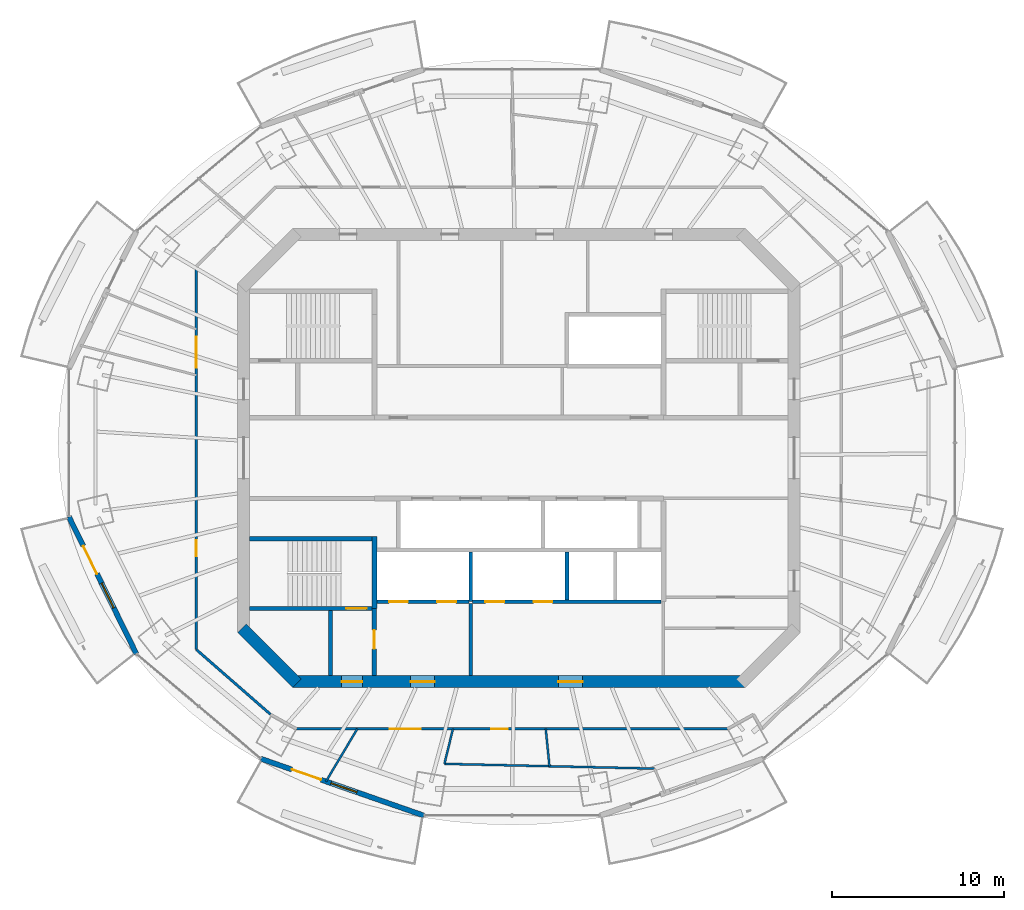
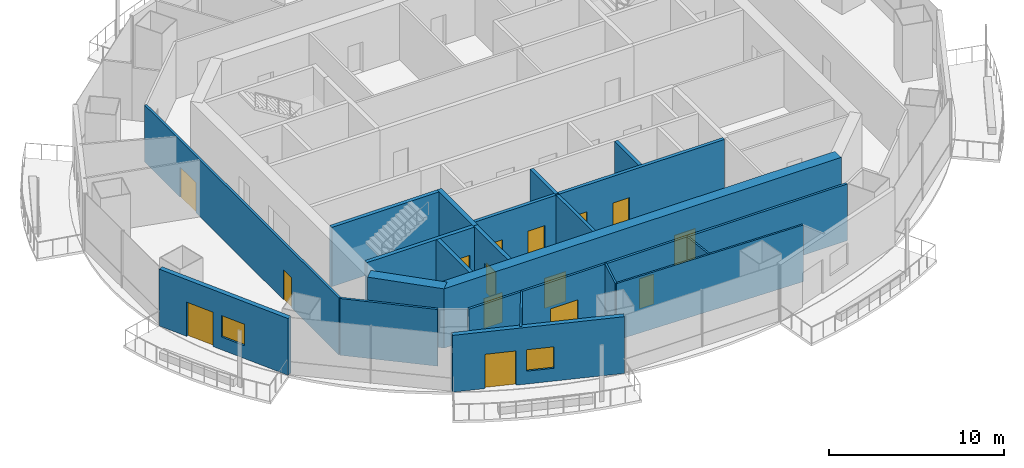
# One storey, part 8 of 16: 21 walls, 15 doors, 2 windows, 17 openings.
"""IFC4 building model written with IfcOpenShell, lengths in metres."""

from ifc_helpers import new_model, si_unit, direction, frame, frame_2d, origin, place, context, subcontext, project, spatial, rectangle, extrude, material, layer, layer_set, type_object, element, fill, save


model = new_model("IFC4")

# Units and contexts
model_context = context("Model", 3, precision=1e-05, world=origin(), true_north=direction((0.0, 1.0)))
body_context = subcontext(model_context, "Body", "Model", "MODEL_VIEW")
ifc_project = project(units=[si_unit("LENGTHUNIT", "METRE"), si_unit("AREAUNIT", "SQUARE_METRE"), si_unit("VOLUMEUNIT", "CUBIC_METRE"), si_unit("PLANEANGLEUNIT", "RADIAN"), si_unit("MASSUNIT", "GRAM", prefix="KILO")], contexts=[model_context])

# Site, building, storey
site_placement = place(None, origin())
site = spatial("IfcSite", under=ifc_project, at=site_placement, CompositionType="ELEMENT")
building_placement = place(site_placement, origin())
building = spatial("IfcBuilding", under=site, at=building_placement, Name="Marenthal Gate Tower", CompositionType="ELEMENT")
storey_placement = place(building_placement, frame((0.0, 0.0, 359.199951171875)))
storey = spatial("IfcBuildingStorey", under=building, at=storey_placement, Name="L81", CompositionType="ELEMENT", Elevation=359.199951171875)

# Wall
ifc_material_1 = material(Name="Concrete 60 MPa", Category="concrete")
ifc_layer_1 = layer(ifc_material_1, 0.699951171875)
ifc_layer_set_1 = layer_set([ifc_layer_1], Name="Core shear wall 700")
wall_type_1 = type_object("IfcWallType", Name="Core shear wall 700", PredefinedType="SHEAR", material=ifc_layer_set_1)
wall_1_placement = place(storey_placement, frame((-16.1025390625, -9.8974609375, -0.179931640625), z_axis=(0.0, 0.0, 1.0), x_axis=(0.707106781187, -0.707106781187, 0.0)))
element("IfcWall", 1, at=wall_1_placement, inside=storey, type_object=wall_type_1, Name="Core wall 07", PredefinedType="SHEAR", context=body_context, shape_type="SweptSolid", body=[
    extrude(rectangle(XDim=4.53271484375, YDim=0.699951171875, at=frame_2d((2.266357421875, 0.0))), origin(), (0.0, 0.0, 1.0), 4.14990234375),
])

# Wall, openings, doors
wall_2_placement = place(storey_placement, frame((-13.14501953125, -13.0, -0.179931640625), z_axis=(0.0, 0.0, 1.0), x_axis=(1.0, 0.0, 0.0)))
wall_2 = element("IfcWall", 2, at=wall_2_placement, inside=storey, type_object=wall_type_1, Name="Core wall 08", PredefinedType="SHEAR", context=body_context, shape_type="SweptSolid", body=[
    extrude(rectangle(XDim=26.2900390625, YDim=0.699951171875, at=frame_2d((13.14501953125, 0.0))), origin(), (0.0, 0.0, 1.0), 4.14990234375),
])
opening_1_placement = place(wall_2_placement, frame((2.844970703125, 0.0, 0.179931640625)))
opening_1 = element("IfcOpeningElement", 3, at=opening_1_placement, cuts=wall_2, Name="Opening D001.06", PredefinedType="OPENING", context=body_context, shape_type="SweptSolid", body=[
    extrude(rectangle(XDim=1.199951171875, YDim=2.10009765625, at=frame_2d((0.60009765625, 1.050048828125))), frame((0.0, 0.35986328125, 0.0), z_axis=(0.0, -1.0, 0.0), x_axis=(1.0, 0.0, 0.0)), (0.0, 0.0, 1.0), 0.719970703125),
])
opening_2_placement = place(wall_2_placement, frame((6.844970703125, 0.0, 0.179931640625)))
opening_2 = element("IfcOpeningElement", 4, at=opening_2_placement, cuts=wall_2, Name="Opening D004.01", PredefinedType="OPENING", context=body_context, shape_type="SweptSolid", body=[
    extrude(rectangle(XDim=1.39990234375, YDim=2.10009765625, at=frame_2d((0.699951171875, 1.050048828125))), frame((0.0, 0.35986328125, 0.0), z_axis=(0.0, -1.0, 0.0), x_axis=(1.0, 0.0, 0.0)), (0.0, 0.0, 1.0), 0.719970703125),
])
opening_3_placement = place(wall_2_placement, frame((15.445068359375, 0.0, 0.179931640625)))
opening_3 = element("IfcOpeningElement", 5, at=opening_3_placement, cuts=wall_2, Name="Opening D004.02", PredefinedType="OPENING", context=body_context, shape_type="SweptSolid", body=[
    extrude(rectangle(XDim=1.39990234375, YDim=2.10009765625, at=frame_2d((0.699951171875, 1.050048828125))), frame((0.0, 0.35986328125, 0.0), z_axis=(0.0, -1.0, 0.0), x_axis=(1.0, 0.0, 0.0)), (0.0, 0.0, 1.0), 0.719970703125),
])
ifc_material_2 = material(Name="Steel fire door", Category="steel")
door_type_1 = type_object("IfcDoorType", Name="Fire door FD 45 1400 x 2100", OperationType="NOTDEFINED", PredefinedType="DOOR", material=ifc_material_2)
door_1_placement = place(opening_2_placement, origin())
door_1 = element("IfcDoor", 6, at=door_1_placement, inside=storey, type_object=door_type_1, Name="Door D004.01", OperationType="SINGLE_SWING_RIGHT", OverallHeight=2.10009765625, OverallWidth=1.39990234375, PredefinedType="DOOR", context=body_context, shape_type="SweptSolid", body=[
    extrude(rectangle(XDim=1.39990234375, YDim=2.10009765625, at=frame_2d((0.699951171875, 1.050048828125))), frame((0.0, 0.02490234375, 0.0), z_axis=(0.0, -1.0, 0.0), x_axis=(1.0, 0.0, 0.0)), (0.0, 0.0, 1.0), 0.050048828125),
])
fill(opening_2, door_1)
door_2_placement = place(opening_3_placement, origin())
door_2 = element("IfcDoor", 7, at=door_2_placement, inside=storey, type_object=door_type_1, Name="Door D004.02", OperationType="SINGLE_SWING_RIGHT", OverallHeight=2.10009765625, OverallWidth=1.39990234375, PredefinedType="DOOR", context=body_context, shape_type="SweptSolid", body=[
    extrude(rectangle(XDim=1.39990234375, YDim=2.10009765625, at=frame_2d((0.699951171875, 1.050048828125))), frame((0.0, 0.02490234375, 0.0), z_axis=(0.0, -1.0, 0.0), x_axis=(1.0, 0.0, 0.0)), (0.0, 0.0, 1.0), 0.050048828125),
])
fill(opening_3, door_2)
ifc_material_3 = material(Name="Steel fire door", Category="steel")
door_type_2 = type_object("IfcDoorType", Name="Fire door FD 90 1200 x 2100", OperationType="NOTDEFINED", PredefinedType="DOOR", material=ifc_material_3)
door_3_placement = place(opening_1_placement, origin())
door_3 = element("IfcDoor", 8, at=door_3_placement, inside=storey, type_object=door_type_2, Name="Door D001.06", OperationType="SINGLE_SWING_RIGHT", OverallHeight=2.10009765625, OverallWidth=1.199951171875, PredefinedType="DOOR", context=body_context, shape_type="SweptSolid", body=[
    extrude(rectangle(XDim=1.199951171875, YDim=2.10009765625, at=frame_2d((0.60009765625, 1.050048828125))), frame((0.0, 0.02490234375, 0.0), z_axis=(0.0, -1.0, 0.0), x_axis=(1.0, 0.0, 0.0)), (0.0, 0.0, 1.0), 0.050048828125),
])
fill(opening_1, door_3)

# Walls
ifc_material_4 = material(Name="Gypsum board on steel studs", Category="steel")
ifc_layer_2 = layer(ifc_material_4, 0.199951171875)
ifc_layer_set_2 = layer_set([ifc_layer_2], Name="Fire lobby wall 200")
wall_type_2 = type_object("IfcWallType", Name="Fire lobby wall 200", PredefinedType="PARTITIONING", material=ifc_layer_set_2)
wall_3_placement = place(storey_placement, frame((-2.800048828125, -12.64990234375, 0.0), z_axis=(0.0, 0.0, 1.0), x_axis=(0.0, 1.0, 0.0)))
element("IfcWall", 9, at=wall_3_placement, inside=storey, type_object=wall_type_2, Name="Fire wall 37", PredefinedType="PARTITIONING", context=body_context, shape_type="SweptSolid", body=[
    extrude(rectangle(XDim=4.18994140625, YDim=0.199951171875, at=frame_2d((2.094970703125, 0.0))), origin(), (0.0, 0.0, 1.0), 3.969970703125),
])
ifc_material_5 = material(Name="Concrete 50 MPa", Category="concrete")
ifc_layer_3 = layer(ifc_material_5, 0.300048828125)
ifc_layer_set_3 = layer_set([ifc_layer_3], Name="Hoistway shear wall 300")
wall_type_3 = type_object("IfcWallType", Name="Hoistway shear wall 300", PredefinedType="SHEAR", material=ifc_layer_set_3)
wall_4_placement = place(storey_placement, frame((-8.39990234375, -8.75, -0.179931640625), z_axis=(0.0, 0.0, 1.0), x_axis=(0.0, 1.0, 0.0)))
element("IfcWall", 10, at=wall_4_placement, inside=storey, type_object=wall_type_3, Name="Hoistway wall 32", PredefinedType="SHEAR", context=body_context, shape_type="SweptSolid", body=[
    extrude(rectangle(XDim=4.175048828125, YDim=0.300048828125, at=frame_2d((2.08740234375, 0.0))), origin(), (0.0, 0.0, 1.0), 4.14990234375),
])

# Wall, openings, doors
ifc_material_6 = material(Name="Concrete 40 MPa", Category="concrete")
ifc_layer_4 = layer(ifc_material_6, 0.219970703125)
ifc_layer_set_4 = layer_set([ifc_layer_4], Name="Hoistway wall 220")
wall_type_4 = type_object("IfcWallType", Name="Hoistway wall 220", PredefinedType="STANDARD", material=ifc_layer_set_4)
wall_5_placement = place(storey_placement, frame((-8.25, -8.35009765625, 0.0), z_axis=(0.0, 0.0, 1.0), x_axis=(1.0, 0.0, 0.0)))
wall_5 = element("IfcWall", 11, at=wall_5_placement, inside=storey, type_object=wall_type_4, Name="Hoistway wall 11", PredefinedType="STANDARD", context=body_context, shape_type="SweptSolid", body=[
    extrude(rectangle(XDim=5.340087890625, YDim=0.219970703125, at=frame_2d((2.669921875, 0.0))), origin(), (0.0, 0.0, 1.0), 3.969970703125),
])
opening_4_placement = place(wall_5_placement, frame((0.699951171875, 0.0, 0.0)))
opening_4 = element("IfcOpeningElement", 12, at=opening_4_placement, cuts=wall_5, Name="Opening LD-LF1", PredefinedType="OPENING", context=body_context, shape_type="SweptSolid", body=[
    extrude(rectangle(XDim=1.10009765625, YDim=2.10009765625, at=frame_2d((0.550048828125, 1.050048828125))), frame((0.0, 0.1201171875, 0.0), z_axis=(0.0, -1.0, 0.0), x_axis=(1.0, 0.0, 0.0)), (0.0, 0.0, 1.0), 0.239990234375),
])
opening_5_placement = place(wall_5_placement, frame((3.5, 0.0, 0.0)))
opening_5 = element("IfcOpeningElement", 13, at=opening_5_placement, cuts=wall_5, Name="Opening LD-LF2", PredefinedType="OPENING", context=body_context, shape_type="SweptSolid", body=[
    extrude(rectangle(XDim=1.10009765625, YDim=2.10009765625, at=frame_2d((0.550048828125, 1.050048828125))), frame((0.0, 0.1201171875, 0.0), z_axis=(0.0, -1.0, 0.0), x_axis=(1.0, 0.0, 0.0)), (0.0, 0.0, 1.0), 0.239990234375),
])
ifc_material_7 = material(Name="Stainless steel sliding door", Category="steel")
door_type_3 = type_object("IfcDoorType", Name="Lift landing door FD 90 1100 x 2100", OperationType="DOUBLE_DOOR_SLIDING", PredefinedType="DOOR", material=ifc_material_7)
door_4_placement = place(opening_4_placement, origin())
door_4 = element("IfcDoor", 14, at=door_4_placement, inside=storey, type_object=door_type_3, Name="Lift landing door LF1", OperationType="DOUBLE_DOOR_SLIDING", OverallHeight=2.10009765625, OverallWidth=1.10009765625, PredefinedType="DOOR", context=body_context, shape_type="SweptSolid", body=[
    extrude(rectangle(XDim=1.10009765625, YDim=2.10009765625, at=frame_2d((0.550048828125, 1.050048828125))), frame((0.0, 0.02490234375, 0.0), z_axis=(0.0, -1.0, 0.0), x_axis=(1.0, 0.0, 0.0)), (0.0, 0.0, 1.0), 0.050048828125),
])
fill(opening_4, door_4)
door_5_placement = place(opening_5_placement, origin())
door_5 = element("IfcDoor", 15, at=door_5_placement, inside=storey, type_object=door_type_3, Name="Lift landing door LF2", OperationType="DOUBLE_DOOR_SLIDING", OverallHeight=2.10009765625, OverallWidth=1.10009765625, PredefinedType="DOOR", context=body_context, shape_type="SweptSolid", body=[
    extrude(rectangle(XDim=1.10009765625, YDim=2.10009765625, at=frame_2d((0.550048828125, 1.050048828125))), frame((0.0, 0.02490234375, 0.0), z_axis=(0.0, -1.0, 0.0), x_axis=(1.0, 0.0, 0.0)), (0.0, 0.0, 1.0), 0.050048828125),
])
fill(opening_5, door_5)

wall_6_placement = place(storey_placement, frame((-2.68994140625, -8.35009765625, 0.0), z_axis=(0.0, 0.0, 1.0), x_axis=(1.0, 0.0, 0.0)))
wall_6 = element("IfcWall", 16, at=wall_6_placement, inside=storey, type_object=wall_type_4, Name="Hoistway wall 12", PredefinedType="STANDARD", context=body_context, shape_type="SweptSolid", body=[
    extrude(rectangle(XDim=10.93994140625, YDim=0.219970703125, at=frame_2d((5.469970703125, 0.0))), origin(), (0.0, 0.0, 1.0), 3.969970703125),
])
opening_6_placement = place(wall_6_placement, frame((0.739990234375, 0.0, 0.0)))
opening_6 = element("IfcOpeningElement", 17, at=opening_6_placement, cuts=wall_6, Name="Opening LD-SV1", PredefinedType="OPENING", context=body_context, shape_type="SweptSolid", body=[
    extrude(rectangle(XDim=1.10009765625, YDim=2.10009765625, at=frame_2d((0.550048828125, 1.050048828125))), frame((0.0, 0.1201171875, 0.0), z_axis=(0.0, -1.0, 0.0), x_axis=(1.0, 0.0, 0.0)), (0.0, 0.0, 1.0), 0.239990234375),
])
opening_7_placement = place(wall_6_placement, frame((3.5400390625, 0.0, 0.0)))
opening_7 = element("IfcOpeningElement", 18, at=opening_7_placement, cuts=wall_6, Name="Opening LD-SV2", PredefinedType="OPENING", context=body_context, shape_type="SweptSolid", body=[
    extrude(rectangle(XDim=1.10009765625, YDim=2.10009765625, at=frame_2d((0.550048828125, 1.050048828125))), frame((0.0, 0.1201171875, 0.0), z_axis=(0.0, -1.0, 0.0), x_axis=(1.0, 0.0, 0.0)), (0.0, 0.0, 1.0), 0.239990234375),
])
door_6_placement = place(opening_6_placement, origin())
door_6 = element("IfcDoor", 19, at=door_6_placement, inside=storey, type_object=door_type_3, Name="Lift landing door SV1", OperationType="DOUBLE_DOOR_SLIDING", OverallHeight=2.10009765625, OverallWidth=1.10009765625, PredefinedType="DOOR", context=body_context, shape_type="SweptSolid", body=[
    extrude(rectangle(XDim=1.10009765625, YDim=2.10009765625, at=frame_2d((0.550048828125, 1.050048828125))), frame((0.0, 0.02490234375, 0.0), z_axis=(0.0, -1.0, 0.0), x_axis=(1.0, 0.0, 0.0)), (0.0, 0.0, 1.0), 0.050048828125),
])
fill(opening_6, door_6)
door_7_placement = place(opening_7_placement, origin())
door_7 = element("IfcDoor", 20, at=door_7_placement, inside=storey, type_object=door_type_3, Name="Lift landing door SV2", OperationType="DOUBLE_DOOR_SLIDING", OverallHeight=2.10009765625, OverallWidth=1.10009765625, PredefinedType="DOOR", context=body_context, shape_type="SweptSolid", body=[
    extrude(rectangle(XDim=1.10009765625, YDim=2.10009765625, at=frame_2d((0.550048828125, 1.050048828125))), frame((0.0, 0.02490234375, 0.0), z_axis=(0.0, -1.0, 0.0), x_axis=(1.0, 0.0, 0.0)), (0.0, 0.0, 1.0), 0.050048828125),
])
fill(opening_7, door_7)

# Walls
wall_7_placement = place(storey_placement, frame((-2.800048828125, -8.35009765625, 0.0), z_axis=(0.0, 0.0, 1.0), x_axis=(0.0, 1.0, 0.0)))
element("IfcWall", 21, at=wall_7_placement, inside=storey, type_object=wall_type_4, Name="Hoistway wall 38", PredefinedType="STANDARD", context=body_context, shape_type="SweptSolid", body=[
    extrude(rectangle(XDim=2.89013671875, YDim=0.219970703125, at=frame_2d((1.445068359375, 0.0))), origin(), (0.0, 0.0, 1.0), 3.969970703125),
])
wall_8_placement = place(storey_placement, frame((2.800048828125, -8.239990234375, 0.0), z_axis=(0.0, 0.0, 1.0), x_axis=(0.0, 1.0, 0.0)))
element("IfcWall", 22, at=wall_8_placement, inside=storey, type_object=wall_type_4, Name="Hoistway wall 42", PredefinedType="STANDARD", context=body_context, shape_type="SweptSolid", body=[
    extrude(rectangle(XDim=2.780029296875, YDim=0.219970703125, at=frame_2d((1.39013671875, 0.0))), origin(), (0.0, 0.0, 1.0), 3.969970703125),
])
ifc_material_8 = material(Name="Gypsum board on steel studs", Category="steel")
ifc_layer_5 = layer(ifc_material_8, 0.1201171875)
ifc_layer_set_5 = layer_set([ifc_layer_5], Name="Partition 120")
wall_type_5 = type_object("IfcWallType", Name="Partition 120", PredefinedType="PARTITIONING", material=ifc_layer_set_5)
wall_9_placement = place(storey_placement, frame((-9.39501953125, -15.75, 0.0), z_axis=(0.0, 0.0, 1.0), x_axis=(-0.512250738002, -0.858835945578, 0.0)))
element("IfcWall", 23, at=wall_9_placement, inside=storey, type_object=wall_type_5, Name="Partition wall 61", PredefinedType="PARTITIONING", context=body_context, shape_type="SweptSolid", body=[
    extrude(rectangle(XDim=3.552978515625, YDim=0.1201171875, at=frame_2d((1.7763671875, 0.0))), origin(), (0.0, 0.0, 1.0), 3.969970703125),
])
wall_10_placement = place(storey_placement, frame((-4.32861328125, -17.78125, 0.0), z_axis=(0.0, 0.0, 1.0), x_axis=(0.999747193502, -0.02248441871, 0.0)))
element("IfcWall", 24, at=wall_10_placement, inside=storey, type_object=wall_type_5, Name="Partition wall 63", PredefinedType="PARTITIONING", context=body_context, shape_type="SweptSolid", body=[
    extrude(rectangle(XDim=12.215576171875, YDim=0.1201171875, at=frame_2d((6.10791015625, 0.0))), origin(), (0.0, 0.0, 1.0), 3.969970703125),
])
wall_11_placement = place(storey_placement, frame((-4.32861328125, -17.78125, 0.0), z_axis=(0.0, 0.0, 1.0), x_axis=(0.236595923388, 0.971608135534, 0.0)))
element("IfcWall", 25, at=wall_11_placement, inside=storey, type_object=wall_type_5, Name="Partition wall 64", PredefinedType="PARTITIONING", context=body_context, shape_type="SweptSolid", body=[
    extrude(rectangle(XDim=2.090576171875, YDim=0.1201171875, at=frame_2d((1.04541015625, 0.0))), origin(), (0.0, 0.0, 1.0), 3.969970703125),
])
wall_12_placement = place(storey_placement, frame((1.777587890625, -17.918701171875, 0.0), z_axis=(0.0, 0.0, 1.0), x_axis=(-0.098694000634, 0.995117829324, 0.0)))
element("IfcWall", 26, at=wall_12_placement, inside=storey, type_object=wall_type_5, Name="Partition wall 66", PredefinedType="PARTITIONING", context=body_context, shape_type="SweptSolid", body=[
    extrude(rectangle(XDim=2.179443359375, YDim=0.1201171875, at=frame_2d((1.08984375, 0.0))), origin(), (0.0, 0.0, 1.0), 3.969970703125),
])

# Wall, openings, doors
ifc_material_9 = material(Name="Gypsum board on steel studs", Category="steel")
ifc_layer_6 = layer(ifc_material_9, 0.14990234375)
ifc_layer_set_6 = layer_set([ifc_layer_6], Name="Partition 150")
wall_type_6 = type_object("IfcWallType", Name="Partition 150", PredefinedType="PARTITIONING", material=ifc_layer_set_6)
wall_13_placement = place(storey_placement, frame((-18.75, -11.13916015625, 0.0), z_axis=(0.0, 0.0, 1.0), x_axis=(0.0, 1.0, 0.0)))
wall_13 = element("IfcWall", 27, at=wall_13_placement, inside=storey, type_object=wall_type_6, Name="Partition wall 52", PredefinedType="PARTITIONING", context=body_context, shape_type="SweptSolid", body=[
    extrude(rectangle(XDim=22.2783203125, YDim=0.14990234375, at=frame_2d((11.13916015625, 0.0))), origin(), (0.0, 0.0, 1.0), 3.969970703125),
])
opening_8_placement = place(wall_13_placement, frame((16.39501953125, 0.0, 0.0)))
opening_8 = element("IfcOpeningElement", 28, at=opening_8_placement, cuts=wall_13, Name="Opening D014.02", PredefinedType="OPENING", context=body_context, shape_type="SweptSolid", body=[
    extrude(rectangle(XDim=1.800048828125, YDim=2.10009765625, at=frame_2d((0.89990234375, 1.050048828125))), frame((0.0, 0.0849609375, 0.0), z_axis=(0.0, -1.0, 0.0), x_axis=(1.0, 0.0, 0.0)), (0.0, 0.0, 1.0), 0.169921875),
])
opening_9_placement = place(wall_13_placement, frame((5.4169921875, 0.0, 0.0)))
opening_9 = element("IfcOpeningElement", 29, at=opening_9_placement, cuts=wall_13, Name="Opening D016.06", PredefinedType="OPENING", context=body_context, shape_type="SweptSolid", body=[
    extrude(rectangle(XDim=0.949951171875, YDim=2.10009765625, at=frame_2d((0.47509765625, 1.050048828125))), frame((0.0, 0.0849609375, 0.0), z_axis=(0.0, -1.0, 0.0), x_axis=(1.0, 0.0, 0.0)), (0.0, 0.0, 1.0), 0.169921875),
])
ifc_material_10 = material(Name="Timber door", Category="wood")
door_type_4 = type_object("IfcDoorType", Name="Door 950 x 2100", OperationType="NOTDEFINED", PredefinedType="DOOR", material=ifc_material_10)
door_8_placement = place(opening_9_placement, origin())
door_8 = element("IfcDoor", 30, at=door_8_placement, inside=storey, type_object=door_type_4, Name="Door D016.06", OperationType="SINGLE_SWING_RIGHT", OverallHeight=2.10009765625, OverallWidth=0.949951171875, PredefinedType="DOOR", context=body_context, shape_type="SweptSolid", body=[
    extrude(rectangle(XDim=0.949951171875, YDim=2.10009765625, at=frame_2d((0.47509765625, 1.050048828125))), frame((0.0, 0.02490234375, 0.0), z_axis=(0.0, -1.0, 0.0), x_axis=(1.0, 0.0, 0.0)), (0.0, 0.0, 1.0), 0.050048828125),
])
fill(opening_9, door_8)
ifc_material_11 = material(Name="Timber door", Category="wood")
door_type_5 = type_object("IfcDoorType", Name="Double door 1800 x 2100", OperationType="DOUBLE_DOOR_SINGLE_SWING", PredefinedType="DOOR", material=ifc_material_11)
door_9_placement = place(opening_8_placement, origin())
door_9 = element("IfcDoor", 31, at=door_9_placement, inside=storey, type_object=door_type_5, Name="Door D014.02", OperationType="DOUBLE_DOOR_SINGLE_SWING", OverallHeight=2.10009765625, OverallWidth=1.800048828125, PredefinedType="DOOR", context=body_context, shape_type="SweptSolid", body=[
    extrude(rectangle(XDim=1.800048828125, YDim=2.10009765625, at=frame_2d((0.89990234375, 1.050048828125))), frame((0.0, 0.02490234375, 0.0), z_axis=(0.0, -1.0, 0.0), x_axis=(1.0, 0.0, 0.0)), (0.0, 0.0, 1.0), 0.050048828125),
])
fill(opening_8, door_9)

# Wall
wall_14_placement = place(storey_placement, frame((-14.439453125, -14.9033203125, 0.0), z_axis=(0.0, 0.0, 1.0), x_axis=(-0.753231723651, 0.657755251204, 0.0)))
element("IfcWall", 32, at=wall_14_placement, inside=storey, type_object=wall_type_6, Name="Partition wall 57", PredefinedType="PARTITIONING", context=body_context, shape_type="SweptSolid", body=[
    extrude(rectangle(XDim=5.72265625, YDim=0.14990234375, at=frame_2d((2.861328125, 0.0))), origin(), (0.0, 0.0, 1.0), 3.969970703125),
])

# Wall, openings, doors
wall_15_placement = place(storey_placement, frame((12.115966796875, -15.75, 0.0), z_axis=(0.0, 0.0, 1.0), x_axis=(-1.0, 0.0, 0.0)))
wall_15 = element("IfcWall", 33, at=wall_15_placement, inside=storey, type_object=wall_type_6, Name="Partition wall 70", PredefinedType="PARTITIONING", context=body_context, shape_type="SweptSolid", body=[
    extrude(rectangle(XDim=25.031982421875, YDim=0.14990234375, at=frame_2d((12.51611328125, 0.0))), origin(), (0.0, 0.0, 1.0), 3.969970703125),
])
opening_10_placement = place(wall_15_placement, frame((12.77587890625, 0.0, 0.0)))
opening_10 = element("IfcOpeningElement", 34, at=opening_10_placement, cuts=wall_15, Name="Opening D016.07", PredefinedType="OPENING", context=body_context, shape_type="SweptSolid", body=[
    extrude(rectangle(XDim=0.949951171875, YDim=2.10009765625, at=frame_2d((0.47509765625, 1.050048828125))), frame((0.0, 0.0849609375, 0.0), z_axis=(0.0, -1.0, 0.0), x_axis=(1.0, 0.0, 0.0)), (0.0, 0.0, 1.0), 0.169921875),
])
opening_11_placement = place(wall_15_placement, frame((17.8310546875, 0.0, 0.0)))
opening_11 = element("IfcOpeningElement", 35, at=opening_11_placement, cuts=wall_15, Name="Opening D014.03", PredefinedType="OPENING", context=body_context, shape_type="SweptSolid", body=[
    extrude(rectangle(XDim=1.800048828125, YDim=2.10009765625, at=frame_2d((0.89990234375, 1.050048828125))), frame((0.0, 0.0849609375, 0.0), z_axis=(0.0, -1.0, 0.0), x_axis=(1.0, 0.0, 0.0)), (0.0, 0.0, 1.0), 0.169921875),
])
door_10_placement = place(opening_10_placement, origin())
door_10 = element("IfcDoor", 36, at=door_10_placement, inside=storey, type_object=door_type_4, Name="Door D016.07", OperationType="SINGLE_SWING_RIGHT", OverallHeight=2.10009765625, OverallWidth=0.949951171875, PredefinedType="DOOR", context=body_context, shape_type="SweptSolid", body=[
    extrude(rectangle(XDim=0.949951171875, YDim=2.10009765625, at=frame_2d((0.47509765625, 1.050048828125))), frame((0.0, 0.02490234375, 0.0), z_axis=(0.0, -1.0, 0.0), x_axis=(1.0, 0.0, 0.0)), (0.0, 0.0, 1.0), 0.050048828125),
])
fill(opening_10, door_10)
door_11_placement = place(opening_11_placement, origin())
door_11 = element("IfcDoor", 37, at=door_11_placement, inside=storey, type_object=door_type_5, Name="Door D014.03", OperationType="DOUBLE_DOOR_SINGLE_SWING", OverallHeight=2.10009765625, OverallWidth=1.800048828125, PredefinedType="DOOR", context=body_context, shape_type="SweptSolid", body=[
    extrude(rectangle(XDim=1.800048828125, YDim=2.10009765625, at=frame_2d((0.89990234375, 1.050048828125))), frame((0.0, 0.02490234375, 0.0), z_axis=(0.0, -1.0, 0.0), x_axis=(1.0, 0.0, 0.0)), (0.0, 0.0, 1.0), 0.050048828125),
])
fill(opening_11, door_11)

# Wall
ifc_material_12 = material(Name="Concrete 40 MPa", Category="concrete")
ifc_layer_7 = layer(ifc_material_12, 0.25)
ifc_layer_set_7 = layer_set([ifc_layer_7], Name="Stair enclosure wall 250")
wall_type_7 = type_object("IfcWallType", Name="Stair enclosure wall 250", PredefinedType="STANDARD", material=ifc_layer_set_7)
wall_16_placement = place(storey_placement, frame((-10.949951171875, -12.64990234375, 0.0), z_axis=(0.0, 0.0, 1.0), x_axis=(0.0, 1.0, 0.0)))
element("IfcWall", 38, at=wall_16_placement, inside=storey, type_object=wall_type_7, Name="Stair wall 30", PredefinedType="STANDARD", context=body_context, shape_type="SweptSolid", body=[
    extrude(rectangle(XDim=3.77490234375, YDim=0.25, at=frame_2d((1.887451171875, 0.0))), origin(), (0.0, 0.0, 1.0), 3.969970703125),
])

# Wall, opening, door
wall_17_placement = place(storey_placement, frame((-8.39990234375, -12.64990234375, 0.0), z_axis=(0.0, 0.0, 1.0), x_axis=(0.0, 1.0, 0.0)))
wall_17 = element("IfcWall", 39, at=wall_17_placement, inside=storey, type_object=wall_type_7, Name="Stair wall 31", PredefinedType="STANDARD", context=body_context, shape_type="SweptSolid", body=[
    extrude(rectangle(XDim=3.89990234375, YDim=0.25, at=frame_2d((1.949951171875, 0.0))), origin(), (0.0, 0.0, 1.0), 3.969970703125),
])
opening_12_placement = place(wall_17_placement, frame((1.550048828125, 0.0, 0.0)))
opening_12 = element("IfcOpeningElement", 40, at=opening_12_placement, cuts=wall_17, Name="Opening D002.01", PredefinedType="OPENING", context=body_context, shape_type="SweptSolid", body=[
    extrude(rectangle(XDim=1.10009765625, YDim=2.10009765625, at=frame_2d((0.550048828125, 1.050048828125))), frame((0.0, 0.135009765625, 0.0), z_axis=(0.0, -1.0, 0.0), x_axis=(1.0, 0.0, 0.0)), (0.0, 0.0, 1.0), 0.27001953125),
])
ifc_material_13 = material(Name="Steel fire door", Category="steel")
door_type_6 = type_object("IfcDoorType", Name="Fire door FD 90 1100 x 2100", OperationType="NOTDEFINED", PredefinedType="DOOR", material=ifc_material_13)
door_12_placement = place(opening_12_placement, origin())
door_12 = element("IfcDoor", 41, at=door_12_placement, inside=storey, type_object=door_type_6, Name="Door D002.01", OperationType="SINGLE_SWING_RIGHT", OverallHeight=2.10009765625, OverallWidth=1.10009765625, PredefinedType="DOOR", context=body_context, shape_type="SweptSolid", body=[
    extrude(rectangle(XDim=1.10009765625, YDim=2.10009765625, at=frame_2d((0.550048828125, 1.050048828125))), frame((0.0, 0.02490234375, 0.0), z_axis=(0.0, -1.0, 0.0), x_axis=(1.0, 0.0, 0.0)), (0.0, 0.0, 1.0), 0.050048828125),
])
fill(opening_12, door_12)

ifc_material_14 = material(Name="Concrete 50 MPa", Category="concrete")
ifc_layer_8 = layer(ifc_material_14, 0.25)
ifc_layer_set_8 = layer_set([ifc_layer_8], Name="Stair shear wall 250")
wall_type_8 = type_object("IfcWallType", Name="Stair shear wall 250", PredefinedType="SHEAR", material=ifc_layer_set_8)
wall_18_placement = place(storey_placement, frame((-15.64990234375, -8.75, -0.179931640625), z_axis=(0.0, 0.0, 1.0), x_axis=(1.0, 0.0, 0.0)))
wall_18 = element("IfcWall", 42, at=wall_18_placement, inside=storey, type_object=wall_type_8, Name="Stair wall 10", PredefinedType="SHEAR", context=body_context, shape_type="SweptSolid", body=[
    extrude(rectangle(XDim=7.099853515625, YDim=0.25, at=frame_2d((3.5498046875, 0.0))), origin(), (0.0, 0.0, 1.0), 4.14990234375),
])
opening_13_placement = place(wall_18_placement, frame((5.60009765625, 0.0, 0.179931640625)))
opening_13 = element("IfcOpeningElement", 43, at=opening_13_placement, cuts=wall_18, Name="Opening D001.03", PredefinedType="OPENING", context=body_context, shape_type="SweptSolid", body=[
    extrude(rectangle(XDim=1.199951171875, YDim=2.10009765625, at=frame_2d((0.60009765625, 1.050048828125))), frame((0.0, 0.135009765625, 0.0), z_axis=(0.0, -1.0, 0.0), x_axis=(1.0, 0.0, 0.0)), (0.0, 0.0, 1.0), 0.27001953125),
])
door_13_placement = place(opening_13_placement, origin())
door_13 = element("IfcDoor", 44, at=door_13_placement, inside=storey, type_object=door_type_2, Name="Door D001.03", OperationType="SINGLE_SWING_RIGHT", OverallHeight=2.10009765625, OverallWidth=1.199951171875, PredefinedType="DOOR", context=body_context, shape_type="SweptSolid", body=[
    extrude(rectangle(XDim=1.199951171875, YDim=2.10009765625, at=frame_2d((0.60009765625, 1.050048828125))), frame((0.0, 0.02490234375, 0.0), z_axis=(0.0, -1.0, 0.0), x_axis=(1.0, 0.0, 0.0)), (0.0, 0.0, 1.0), 0.050048828125),
])
fill(opening_13, door_13)

# Wall
wall_19_placement = place(storey_placement, frame((-15.64990234375, -4.699951171875, -0.179931640625), z_axis=(0.0, 0.0, 1.0), x_axis=(1.0, 0.0, 0.0)))
element("IfcWall", 45, at=wall_19_placement, inside=storey, type_object=wall_type_8, Name="Stair wall 15", PredefinedType="SHEAR", context=body_context, shape_type="SweptSolid", body=[
    extrude(rectangle(XDim=7.099853515625, YDim=0.25, at=frame_2d((3.5498046875, 0.0))), origin(), (0.0, 0.0, 1.0), 4.14990234375),
])

# Wall, openings, door, window
ifc_material_15 = material(Name="Terracotta cladding on insulated concrete-block backing", Category="masonry")
ifc_layer_9 = layer(ifc_material_15, 0.300048828125)
ifc_layer_set_9 = layer_set([ifc_layer_9], Name="Terracotta facade wall 300")
wall_type_9 = type_object("IfcWallType", Name="Terracotta facade wall 300", PredefinedType="SOLIDWALL", material=ifc_layer_set_9)
wall_20_placement = place(storey_placement, frame((-26.160400390625, -3.41357421875, 0.0), z_axis=(0.0, 0.0, 1.0), x_axis=(0.441487983718, -0.897267162128, 0.0)))
wall_20 = element("IfcWall", 46, at=wall_20_placement, inside=storey, type_object=wall_type_9, Name="Terracotta facade wall L81 bay 9", PredefinedType="SOLIDWALL", context=body_context, shape_type="SweptSolid", body=[
    extrude(rectangle(XDim=8.88330078125, YDim=0.300048828125, at=frame_2d((4.441650390625, 0.0))), origin(), (0.0, 0.0, 1.0), 3.969970703125),
])
opening_14_placement = place(wall_20_placement, frame((1.89990234375, 0.0, 0.0)))
opening_14 = element("IfcOpeningElement", 47, at=opening_14_placement, cuts=wall_20, Name="Opening BD-L81-09", PredefinedType="OPENING", context=body_context, shape_type="SweptSolid", body=[
    extrude(rectangle(XDim=1.800048828125, YDim=2.39990234375, at=frame_2d((0.89990234375, 1.199951171875))), frame((0.0, 0.16015625, 0.0), z_axis=(0.0, -1.0, 0.0), x_axis=(1.0, 0.0, 0.0)), (0.0, 0.0, 1.0), 0.320068359375),
])
opening_15_placement = place(wall_20_placement, frame((4.300048828125, 0.0, 0.89990234375)))
opening_15 = element("IfcOpeningElement", 48, at=opening_15_placement, cuts=wall_20, Name="Opening WN3-L81-09", PredefinedType="OPENING", context=body_context, shape_type="SweptSolid", body=[
    extrude(rectangle(XDim=1.60009765625, YDim=1.5, at=frame_2d((0.800048828125, 0.75))), frame((0.0, 0.16015625, 0.0), z_axis=(0.0, -1.0, 0.0), x_axis=(1.0, 0.0, 0.0)), (0.0, 0.0, 1.0), 0.320068359375),
])
ifc_material_16 = material(Name="Aluminium and glass", Category="aluminium")
door_type_7 = type_object("IfcDoorType", Name="Balcony door 1800x2400", OperationType="DOUBLE_DOOR_SINGLE_SWING", PredefinedType="DOOR", material=ifc_material_16)
door_14_placement = place(opening_14_placement, origin())
door_14 = element("IfcDoor", 49, at=door_14_placement, inside=storey, type_object=door_type_7, Name="Balcony door L81 bay 9", OperationType="SINGLE_SWING_LEFT", OverallHeight=2.39990234375, OverallWidth=1.800048828125, PredefinedType="DOOR", context=body_context, shape_type="SweptSolid", body=[
    extrude(rectangle(XDim=1.800048828125, YDim=2.39990234375, at=frame_2d((0.89990234375, 1.199951171875))), frame((0.0, 0.02490234375, 0.0), z_axis=(0.0, -1.0, 0.0), x_axis=(1.0, 0.0, 0.0)), (0.0, 0.0, 1.0), 0.050048828125),
])
fill(opening_14, door_14)
ifc_material_17 = material(Name="Aluminium and glass", Category="aluminium")
window_type = type_object("IfcWindowType", Name="Window 1600x1500", PartitioningType="DOUBLE_PANEL_VERTICAL", PredefinedType="WINDOW", material=ifc_material_17)
window_1_placement = place(opening_15_placement, origin())
window_1 = element("IfcWindow", 50, at=window_1_placement, inside=storey, type_object=window_type, Name="Window L81 bay 9", OverallHeight=1.5, OverallWidth=1.60009765625, PartitioningType="SINGLE_PANEL", PredefinedType="WINDOW", context=body_context, shape_type="SweptSolid", body=[
    extrude(rectangle(XDim=1.60009765625, YDim=1.5, at=frame_2d((0.800048828125, 0.75))), frame((0.0, 0.030029296875, 0.0), z_axis=(0.0, -1.0, 0.0), x_axis=(1.0, 0.0, 0.0)), (0.0, 0.0, 1.0), 0.06005859375),
])
fill(opening_15, window_1)

wall_21_placement = place(storey_placement, frame((-14.9921875, -17.484619140625, 0.0), z_axis=(0.0, 0.0, 1.0), x_axis=(0.944242611416, -0.329250498535, 0.0)))
wall_21 = element("IfcWall", 51, at=wall_21_placement, inside=storey, type_object=wall_type_9, Name="Terracotta facade wall L81 bay 11", PredefinedType="SOLIDWALL", context=body_context, shape_type="SweptSolid", body=[
    extrude(rectangle(XDim=10.02734375, YDim=0.300048828125, at=frame_2d((5.013671875, 0.0))), origin(), (0.0, 0.0, 1.0), 3.969970703125),
])
opening_16_placement = place(wall_21_placement, frame((1.89990234375, 0.0, 0.0)))
opening_16 = element("IfcOpeningElement", 52, at=opening_16_placement, cuts=wall_21, Name="Opening BD-L81-11", PredefinedType="OPENING", context=body_context, shape_type="SweptSolid", body=[
    extrude(rectangle(XDim=1.800048828125, YDim=2.39990234375, at=frame_2d((0.89990234375, 1.199951171875))), frame((0.0, 0.16015625, 0.0), z_axis=(0.0, -1.0, 0.0), x_axis=(1.0, 0.0, 0.0)), (0.0, 0.0, 1.0), 0.320068359375),
])
opening_17_placement = place(wall_21_placement, frame((4.300048828125, 0.0, 0.89990234375)))
opening_17 = element("IfcOpeningElement", 53, at=opening_17_placement, cuts=wall_21, Name="Opening WN3-L81-11", PredefinedType="OPENING", context=body_context, shape_type="SweptSolid", body=[
    extrude(rectangle(XDim=1.60009765625, YDim=1.5, at=frame_2d((0.800048828125, 0.75))), frame((0.0, 0.16015625, 0.0), z_axis=(0.0, -1.0, 0.0), x_axis=(1.0, 0.0, 0.0)), (0.0, 0.0, 1.0), 0.320068359375),
])
door_15_placement = place(opening_16_placement, origin())
door_15 = element("IfcDoor", 54, at=door_15_placement, inside=storey, type_object=door_type_7, Name="Balcony door L81 bay 11", OperationType="SINGLE_SWING_LEFT", OverallHeight=2.39990234375, OverallWidth=1.800048828125, PredefinedType="DOOR", context=body_context, shape_type="SweptSolid", body=[
    extrude(rectangle(XDim=1.800048828125, YDim=2.39990234375, at=frame_2d((0.89990234375, 1.199951171875))), frame((0.0, 0.02490234375, 0.0), z_axis=(0.0, -1.0, 0.0), x_axis=(1.0, 0.0, 0.0)), (0.0, 0.0, 1.0), 0.050048828125),
])
fill(opening_16, door_15)
window_2_placement = place(opening_17_placement, origin())
window_2 = element("IfcWindow", 55, at=window_2_placement, inside=storey, type_object=window_type, Name="Window L81 bay 11", OverallHeight=1.5, OverallWidth=1.60009765625, PartitioningType="SINGLE_PANEL", PredefinedType="WINDOW", context=body_context, shape_type="SweptSolid", body=[
    extrude(rectangle(XDim=1.60009765625, YDim=1.5, at=frame_2d((0.800048828125, 0.75))), frame((0.0, 0.030029296875, 0.0), z_axis=(0.0, -1.0, 0.0), x_axis=(1.0, 0.0, 0.0)), (0.0, 0.0, 1.0), 0.06005859375),
])
fill(opening_17, window_2)

save(model, "model.ifc")
